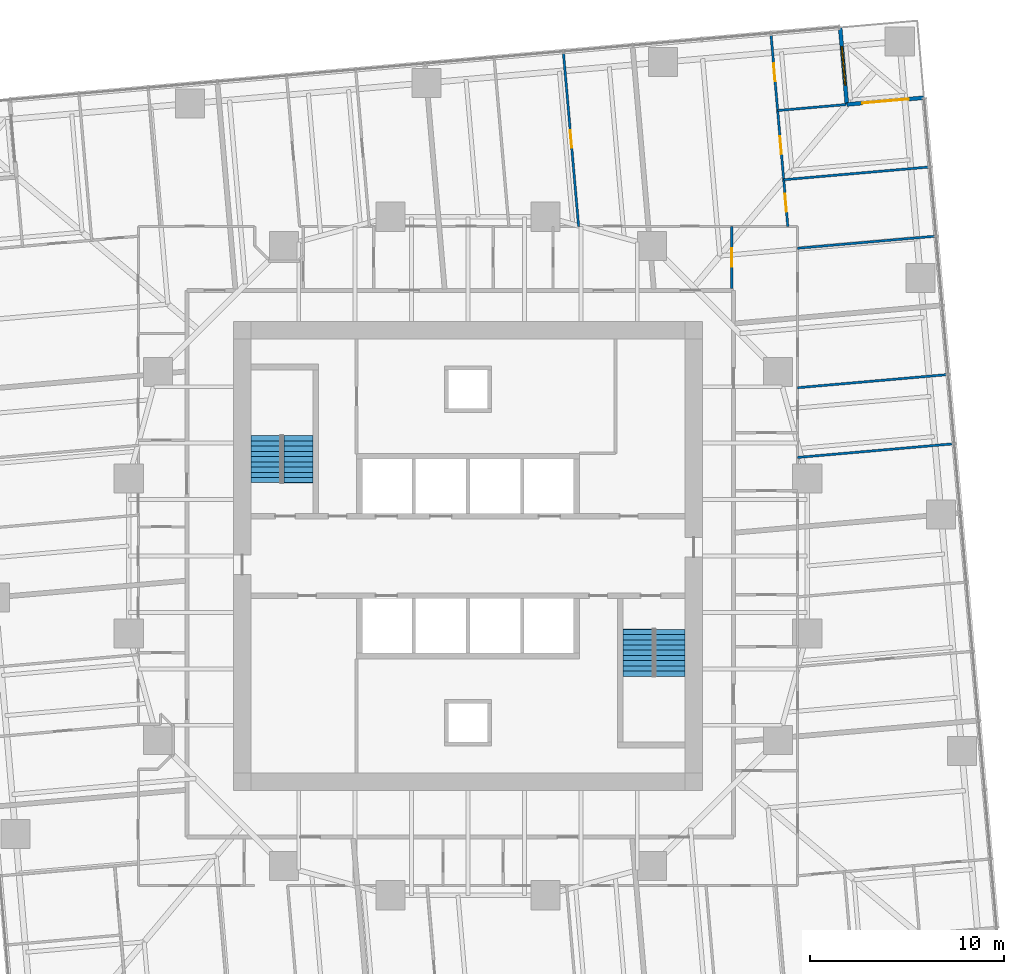
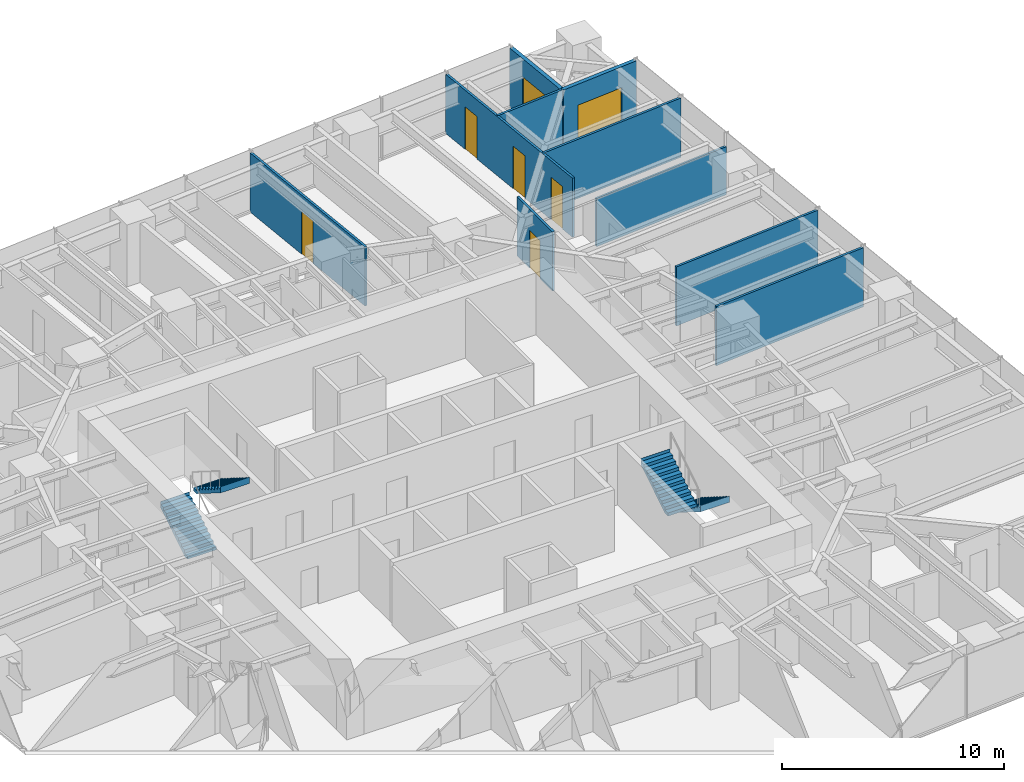
# One storey, part 13 of 14: 10 walls, 6 doors, 4 stair flights, 1 window, 7 openings, 2 elements without a shape of their own.
"""IFC4 building model written with IfcOpenShell, lengths in metres."""

from ifc_helpers import new_model, si_unit, direction, frame, frame_2d, origin, place, context, subcontext, project, spatial, polyline, rectangle, outline, extrude, material, layer, layer_set, type_object, element, fill, aggregate, save


model = new_model("IFC4")

# Units and contexts
model_context = context("Model", 3, precision=1e-05, world=origin(), true_north=direction((0.0, 1.0)))
body_context = subcontext(model_context, "Body", "Model", "MODEL_VIEW")
ifc_project = project(units=[si_unit("LENGTHUNIT", "METRE"), si_unit("AREAUNIT", "SQUARE_METRE"), si_unit("VOLUMEUNIT", "CUBIC_METRE"), si_unit("PLANEANGLEUNIT", "RADIAN"), si_unit("MASSUNIT", "GRAM", prefix="KILO")], contexts=[model_context])

# Site, building, storey
site_placement = place(None, origin())
site = spatial("IfcSite", under=ifc_project, at=site_placement, CompositionType="ELEMENT")
building_placement = place(site_placement, origin())
building = spatial("IfcBuilding", under=site, at=building_placement, Name="Torsade Residences", CompositionType="ELEMENT")
storey_placement = place(building_placement, frame((0.0, 0.0, 47.199951171875)))
storey = spatial("IfcBuildingStorey", under=building, at=storey_placement, Name="L12", CompositionType="ELEMENT", Elevation=47.199951171875)

# Walls
ifc_material_1 = material(Name="Plasterboard on steel stud", Category="steel")
ifc_layer_1 = layer(ifc_material_1, 0.1201171875)
ifc_layer_set_1 = layer_set([ifc_layer_1], Name="Plasterboard on steel stud")
wall_type_1 = type_object("IfcWallType", Name="PARTITION 120", PredefinedType="PARTITIONING", material=ifc_layer_set_1)
wall_1_placement = place(storey_placement, frame((57.0, 35.084228515625, 0.0), z_axis=(0.0, 0.0, 1.0), x_axis=(0.99619214338, 0.087184938313, 0.0)))
element("IfcWall", 1, at=wall_1_placement, inside=storey, type_object=wall_type_1, Name="Partition L12", PredefinedType="PARTITIONING", context=body_context, shape_type="SweptSolid", body=[
    extrude(rectangle(XDim=8.08154296875, YDim=0.1201171875, at=frame_2d((4.040771484375, 0.0))), origin(), (0.0, 0.0, 1.0), 3.25),
])
wall_2_placement = place(storey_placement, frame((57.0, 38.681396484375, 0.0), z_axis=(0.0, 0.0, 1.0), x_axis=(0.996195047824, 0.0871517452, 0.0)))
element("IfcWall", 2, at=wall_2_placement, inside=storey, type_object=wall_type_1, Name="Partition L12", PredefinedType="PARTITIONING", context=body_context, shape_type="SweptSolid", body=[
    extrude(rectangle(XDim=7.76806640625, YDim=0.1201171875, at=frame_2d((3.884033203125, 0.0))), origin(), (0.0, 0.0, 1.0), 3.25),
])

# Wall, opening, door
wall_3_placement = place(storey_placement, frame((53.60595703125, 47.0, 0.0), z_axis=(0.0, 0.0, 1.0), x_axis=(0.0, -1.0, 0.0)))
wall_3 = element("IfcWall", 3, at=wall_3_placement, inside=storey, type_object=wall_type_1, Name="Partition L12", PredefinedType="PARTITIONING", context=body_context, shape_type="SweptSolid", body=[
    extrude(rectangle(XDim=3.199951171875, YDim=0.1201171875, at=frame_2d((1.60009765625, 0.0))), origin(), (0.0, 0.0, 1.0), 3.25),
])
opening_1_placement = place(wall_3_placement, frame((1.1201171875, 0.0, 0.0)))
opening_1 = element("IfcOpeningElement", 4, at=opening_1_placement, cuts=wall_3, Name="Opening D05", PredefinedType="OPENING", context=body_context, shape_type="SweptSolid", body=[
    extrude(rectangle(XDim=0.9599609375, YDim=2.10009765625, at=frame_2d((0.47998046875, 1.050048828125))), frame((0.0, 0.070068359375, 0.0), z_axis=(0.0, -1.0, 0.0), x_axis=(1.0, 0.0, 0.0)), (0.0, 0.0, 1.0), 0.14013671875),
])
ifc_material_2 = material(Name="Hollow-core timber door in a steel cavity frame", Category="steel")
door_type_1 = type_object("IfcDoorType", Name="BATHROOM CAVITY SLIDING DOOR 960", OperationType="SLIDING_TO_LEFT", PredefinedType="DOOR", material=ifc_material_2)
door_1_placement = place(opening_1_placement, origin())
door_1 = element("IfcDoor", 5, at=door_1_placement, inside=storey, type_object=door_type_1, Name="Door Kitchen and dining to Bathroom", OperationType="SLIDING_TO_LEFT", OverallHeight=2.10009765625, OverallWidth=0.9599609375, PredefinedType="DOOR", context=body_context, shape_type="SweptSolid", body=[
    extrude(rectangle(XDim=0.9599609375, YDim=2.10009765625, at=frame_2d((0.47998046875, 1.050048828125))), frame((0.0, 0.02490234375, 0.0), z_axis=(0.0, -1.0, 0.0), x_axis=(1.0, 0.0, 0.0)), (0.0, 0.0, 1.0), 0.050048828125),
])
fill(opening_1, door_1)

# Wall, openings, doors
wall_4_placement = place(storey_placement, frame((55.62939453125, 56.924560546875, 0.0), z_axis=(0.0, 0.0, 1.0), x_axis=(0.087167862274, -0.996193637696, 0.0)))
wall_4 = element("IfcWall", 6, at=wall_4_placement, inside=storey, type_object=wall_type_1, Name="Partition L12", PredefinedType="PARTITIONING", context=body_context, shape_type="SweptSolid", body=[
    extrude(rectangle(XDim=9.96240234375, YDim=0.1201171875, at=frame_2d((4.981201171875, 0.0))), origin(), (0.0, 0.0, 1.0), 3.25),
])
opening_2_placement = place(wall_4_placement, frame((1.525146484375, 0.0, 0.0)))
opening_2 = element("IfcOpeningElement", 7, at=opening_2_placement, cuts=wall_4, Name="Opening D02", PredefinedType="OPENING", context=body_context, shape_type="SweptSolid", body=[
    extrude(rectangle(XDim=0.919921875, YDim=2.340087890625, at=frame_2d((0.4599609375, 1.169921875))), frame((0.0, 0.070068359375, 0.0), z_axis=(0.0, -1.0, 0.0), x_axis=(1.0, 0.0, 0.0)), (0.0, 0.0, 1.0), 0.14013671875),
])
opening_3_placement = place(wall_4_placement, frame((5.291748046875, 0.0, 0.0)))
opening_3 = element("IfcOpeningElement", 8, at=opening_3_placement, cuts=wall_4, Name="Opening D02", PredefinedType="OPENING", context=body_context, shape_type="SweptSolid", body=[
    extrude(rectangle(XDim=0.919921875, YDim=2.340087890625, at=frame_2d((0.4599609375, 1.169921875))), frame((0.0, 0.070068359375, 0.0), z_axis=(0.0, -1.0, 0.0), x_axis=(1.0, 0.0, 0.0)), (0.0, 0.0, 1.0), 0.14013671875),
])
opening_4_placement = place(wall_4_placement, frame((8.267822265625, 0.0, 0.0)))
opening_4 = element("IfcOpeningElement", 9, at=opening_4_placement, cuts=wall_4, Name="Opening D02", PredefinedType="OPENING", context=body_context, shape_type="SweptSolid", body=[
    extrude(rectangle(XDim=0.919921875, YDim=2.340087890625, at=frame_2d((0.4599609375, 1.169921875))), frame((0.0, 0.070068359375, 0.0), z_axis=(0.0, -1.0, 0.0), x_axis=(1.0, 0.0, 0.0)), (0.0, 0.0, 1.0), 0.14013671875),
])
ifc_material_3 = material(Name="Hollow-core timber door", Category="wood")
door_type_2 = type_object("IfcDoorType", Name="INTERNAL DOOR 920x2340", OperationType="NOTDEFINED", PredefinedType="DOOR", material=ifc_material_3)
door_2_placement = place(opening_2_placement, origin())
door_2 = element("IfcDoor", 10, at=door_2_placement, inside=storey, type_object=door_type_2, Name="Door Living room to Family room", OperationType="SINGLE_SWING_RIGHT", OverallHeight=2.340087890625, OverallWidth=0.919921875, PredefinedType="DOOR", context=body_context, shape_type="SweptSolid", body=[
    extrude(rectangle(XDim=0.919921875, YDim=2.340087890625, at=frame_2d((0.4599609375, 1.169921875))), frame((0.0, 0.02490234375, 0.0), z_axis=(0.0, -1.0, 0.0), x_axis=(1.0, 0.0, 0.0)), (0.0, 0.0, 1.0), 0.050048828125),
])
fill(opening_2, door_2)
door_3_placement = place(opening_3_placement, origin())
door_3 = element("IfcDoor", 11, at=door_3_placement, inside=storey, type_object=door_type_2, Name="Door Living room to Bedroom 1", OperationType="SINGLE_SWING_RIGHT", OverallHeight=2.340087890625, OverallWidth=0.919921875, PredefinedType="DOOR", context=body_context, shape_type="SweptSolid", body=[
    extrude(rectangle(XDim=0.919921875, YDim=2.340087890625, at=frame_2d((0.4599609375, 1.169921875))), frame((0.0, 0.02490234375, 0.0), z_axis=(0.0, -1.0, 0.0), x_axis=(1.0, 0.0, 0.0)), (0.0, 0.0, 1.0), 0.050048828125),
])
fill(opening_3, door_3)
door_4_placement = place(opening_4_placement, origin())
door_4 = element("IfcDoor", 12, at=door_4_placement, inside=storey, type_object=door_type_2, Name="Door Living room to Bedroom 2", OperationType="SINGLE_SWING_LEFT", OverallHeight=2.340087890625, OverallWidth=0.919921875, PredefinedType="DOOR", context=body_context, shape_type="SweptSolid", body=[
    extrude(rectangle(XDim=0.919921875, YDim=2.340087890625, at=frame_2d((0.4599609375, 1.169921875))), frame((0.0, 0.02490234375, 0.0), z_axis=(0.0, -1.0, 0.0), x_axis=(1.0, 0.0, 0.0)), (0.0, 0.0, 1.0), 0.050048828125),
])
fill(opening_4, door_4)

# Walls
wall_5_placement = place(storey_placement, frame((63.801513671875, 50.0673828125, 0.0), z_axis=(0.0, 0.0, 1.0), x_axis=(-0.99619417419, -0.087161730761, 0.0)))
element("IfcWall", 13, at=wall_5_placement, inside=storey, type_object=wall_type_1, Name="Partition L12", PredefinedType="PARTITIONING", context=body_context, shape_type="SweptSolid", body=[
    extrude(rectangle(XDim=7.543212890625, YDim=0.1201171875, at=frame_2d((3.771484375, 0.0))), origin(), (0.0, 0.0, 1.0), 3.25),
])
wall_6_placement = place(storey_placement, frame((55.974609375, 52.979736328125, 0.0), z_axis=(0.0, 0.0, 1.0), x_axis=(0.996194166221, 0.087161821847, 0.0)))
element("IfcWall", 14, at=wall_6_placement, inside=storey, type_object=wall_type_1, Name="Partition L12", PredefinedType="PARTITIONING", context=body_context, shape_type="SweptSolid", body=[
    extrude(rectangle(XDim=3.543212890625, YDim=0.1201171875, at=frame_2d((1.771484375, 0.0))), origin(), (0.0, 0.0, 1.0), 3.25),
])
wall_7_placement = place(storey_placement, frame((64.11376953125, 46.497802734375, 0.0), z_axis=(0.0, 0.0, 1.0), x_axis=(-0.996195424363, -0.087147441029, 0.0)))
element("IfcWall", 15, at=wall_7_placement, inside=storey, type_object=wall_type_1, Name="Partition L12", PredefinedType="PARTITIONING", context=body_context, shape_type="SweptSolid", body=[
    extrude(rectangle(XDim=7.140869140625, YDim=0.1201171875, at=frame_2d((3.5703125, 0.0))), origin(), (0.0, 0.0, 1.0), 2.637939453125),
])

# Wall, opening, door
wall_8_placement = place(storey_placement, frame((45.706787109375, 47.0, 0.0), z_axis=(0.0, 0.0, 1.0), x_axis=(-0.087160907995, 0.996194246178, 0.0)))
wall_8 = element("IfcWall", 16, at=wall_8_placement, inside=storey, type_object=wall_type_1, Name="Partition L12", PredefinedType="PARTITIONING", context=body_context, shape_type="SweptSolid", body=[
    extrude(rectangle(XDim=9.022216796875, YDim=0.1201171875, at=frame_2d((4.51123046875, 0.0))), origin(), (0.0, 0.0, 1.0), 3.25),
])
opening_5_placement = place(wall_8_placement, frame((4.071044921875, 0.0, 0.0)))
opening_5 = element("IfcOpeningElement", 17, at=opening_5_placement, cuts=wall_8, Name="Opening D02", PredefinedType="OPENING", context=body_context, shape_type="SweptSolid", body=[
    extrude(rectangle(XDim=0.919921875, YDim=2.340087890625, at=frame_2d((0.4599609375, 1.169921875))), frame((0.0, 0.070068359375, 0.0), z_axis=(0.0, -1.0, 0.0), x_axis=(1.0, 0.0, 0.0)), (0.0, 0.0, 1.0), 0.14013671875),
])
door_5_placement = place(opening_5_placement, origin())
door_5 = element("IfcDoor", 18, at=door_5_placement, inside=storey, type_object=door_type_2, Name="Door Living room to Bedroom 1", OperationType="SINGLE_SWING_RIGHT", OverallHeight=2.340087890625, OverallWidth=0.919921875, PredefinedType="DOOR", context=body_context, shape_type="SweptSolid", body=[
    extrude(rectangle(XDim=0.919921875, YDim=2.340087890625, at=frame_2d((0.4599609375, 1.169921875))), frame((0.0, 0.02490234375, 0.0), z_axis=(0.0, -1.0, 0.0), x_axis=(1.0, 0.0, 0.0)), (0.0, 0.0, 1.0), 0.050048828125),
])
fill(opening_5, door_5)

ifc_material_4 = material(Name="Stone-faced precast concrete 40 MPa panel", Category="masonry")
ifc_layer_2 = layer(ifc_material_4, 0.199951171875)
ifc_layer_set_2 = layer_set([ifc_layer_2], Name="Stone-faced precast concrete 40 MPa panel")
wall_type_2 = type_object("IfcWallType", Name="TERRACE WALL 200", PredefinedType="SOLIDWALL", material=ifc_layer_set_2)
wall_9_placement = place(storey_placement, frame((63.529052734375, 53.640625, 0.0), z_axis=(0.0, 0.0, 1.0), x_axis=(-0.99619418125, -0.087161650072, 0.0)))
wall_9 = element("IfcWall", 19, at=wall_9_placement, inside=storey, type_object=wall_type_2, Name="Terrace wall L12 5", PredefinedType="SOLIDWALL", context=body_context, shape_type="SweptSolid", body=[
    extrude(rectangle(XDim=3.999755859375, YDim=0.199951171875, at=frame_2d((2.0, 0.0))), origin(), (0.0, 0.0, 1.0), 3.25),
])
opening_6_placement = place(wall_9_placement, frame((0.800048828125, 0.0, 0.0)))
opening_6 = element("IfcOpeningElement", 20, at=opening_6_placement, cuts=wall_9, Name="Opening D10A", PredefinedType="OPENING", context=body_context, shape_type="SweptSolid", body=[
    extrude(rectangle(XDim=2.39990234375, YDim=2.10009765625, at=frame_2d((1.199951171875, 1.050048828125))), frame((0.0, 0.10986328125, 0.0), z_axis=(0.0, -1.0, 0.0), x_axis=(1.0, 0.0, 0.0)), (0.0, 0.0, 1.0), 0.219970703125),
])
ifc_material_5 = material(Name="Aluminium-framed glass door", Category="aluminium")
door_type_3 = type_object("IfcDoorType", Name="TERRACE SLIDING DOOR 2400x2100", OperationType="SLIDING_TO_LEFT", PredefinedType="DOOR", material=ifc_material_5)
door_6_placement = place(opening_6_placement, origin())
door_6 = element("IfcDoor", 21, at=door_6_placement, inside=storey, type_object=door_type_3, Name="Terrace door L12 5", OperationType="SLIDING_TO_LEFT", OverallHeight=2.10009765625, OverallWidth=2.39990234375, PredefinedType="DOOR", context=body_context, shape_type="SweptSolid", body=[
    extrude(rectangle(XDim=2.39990234375, YDim=2.10009765625, at=frame_2d((1.199951171875, 1.050048828125))), frame((0.0, 0.02490234375, 0.0), z_axis=(0.0, -1.0, 0.0), x_axis=(1.0, 0.0, 0.0)), (0.0, 0.0, 1.0), 0.050048828125),
])
fill(opening_6, door_6)

# Wall, opening, window
wall_10_placement = place(storey_placement, frame((59.54443359375, 53.2919921875, 0.0), z_axis=(0.0, 0.0, 1.0), x_axis=(-0.087156350505, 0.99619464492, 0.0)))
wall_10 = element("IfcWall", 22, at=wall_10_placement, inside=storey, type_object=wall_type_2, Name="Terrace wall L12 6", PredefinedType="SOLIDWALL", context=body_context, shape_type="SweptSolid", body=[
    extrude(rectangle(XDim=4.0, YDim=0.199951171875, at=frame_2d((2.0, 0.0))), origin(), (0.0, 0.0, 1.0), 3.25),
])
opening_7_placement = place(wall_10_placement, frame((1.0, 0.0, 0.449951171875)))
opening_7 = element("IfcOpeningElement", 23, at=opening_7_placement, cuts=wall_10, Name="Opening W1B", PredefinedType="OPENING", context=body_context, shape_type="SweptSolid", body=[
    extrude(rectangle(XDim=2.0, YDim=1.800048828125, at=frame_2d((1.0, 0.89990234375))), frame((0.0, 0.10986328125, 0.0), z_axis=(0.0, -1.0, 0.0), x_axis=(1.0, 0.0, 0.0)), (0.0, 0.0, 1.0), 0.219970703125),
])
ifc_material_6 = material(Name="Aluminium-framed glass window", Category="aluminium")
window_type = type_object("IfcWindowType", Name="TERRACE WINDOW 2000x1800", PartitioningType="SINGLE_PANEL", PredefinedType="WINDOW", material=ifc_material_6)
window_placement = place(opening_7_placement, origin())
window = element("IfcWindow", 24, at=window_placement, inside=storey, type_object=window_type, Name="Terrace window L12 6", OverallHeight=1.800048828125, OverallWidth=2.0, PartitioningType="SINGLE_PANEL", PredefinedType="WINDOW", context=body_context, shape_type="SweptSolid", body=[
    extrude(rectangle(XDim=2.0, YDim=1.800048828125, at=frame_2d((1.0, 0.89990234375))), frame((0.0, 0.030029296875, 0.0), z_axis=(0.0, -1.0, 0.0), x_axis=(1.0, 0.0, 0.0)), (0.0, 0.0, 1.0), 0.06005859375),
])
fill(opening_7, window)

# Stair, stair flights
ifc_material_7 = material(Name="Precast concrete 40 MPa", Category="concrete")
stair_type = type_object("IfcStairType", Name="HALF-TURN FIRE STAIR 1500x3400", PredefinedType="HALF_TURN_STAIR", material=ifc_material_7)
stair_1_placement = place(storey_placement, origin())
stair_1 = element("IfcStair", 25, at=stair_1_placement, inside=storey, type_object=stair_type, Name="Stair ST1 L12", PredefinedType="HALF_TURN_STAIR")
ifc_material_8 = material(Name="Precast concrete 40 MPa", Category="concrete")
stair_flight_type = type_object("IfcStairFlightType", Name="PRECAST STAIR FLIGHT 1500x1700", PredefinedType="STRAIGHT", material=ifc_material_8)
stair_flight_1_placement = place(storey_placement, frame((29.550048828125, 33.780029296875, 0.0), z_axis=(0.0, 0.0, 1.0), x_axis=(0.0, 1.0, 0.0)))
stair_flight_1 = element("IfcStairFlight", 26, at=stair_flight_1_placement, type_object=stair_flight_type, Name="ST1 flight 1", NumberOfRisers=10, NumberOfTreads=9, PredefinedType="STRAIGHT", RiserHeight=0.17, TreadLength=0.27, context=body_context, shape_type="SweptSolid", body=[
    extrude(outline(polyline([(0.0, 0.0), (0.0, 0.169921875), (0.27001953125, 0.169921875), (0.27001953125, 0.340087890625), (0.5400390625, 0.340087890625), (0.5400390625, 0.510009765625), (0.81005859375, 0.510009765625), (0.81005859375, 0.679931640625), (1.080078125, 0.679931640625), (1.080078125, 0.85009765625), (1.35009765625, 0.85009765625), (1.35009765625, 1.02001953125), (1.6201171875, 1.02001953125), (1.6201171875, 1.18994140625), (1.889892578125, 1.18994140625), (1.889892578125, 1.360107421875), (2.159912109375, 1.360107421875), (2.159912109375, 1.530029296875), (2.429931640625, 1.530029296875), (2.429931640625, 1.699951171875), (2.43994140625, 1.699951171875), (2.43994140625, 1.352783203125), (2.429931640625, 1.352783203125), (0.28125, 0.0), (0.0, 0.0)])), frame((0.0, 0.75, 0.0), z_axis=(0.0, -1.0, 0.0), x_axis=(1.0, 0.0, 0.0)), (0.0, 0.0, 1.0), 1.5),
])
stair_flight_2_placement = place(storey_placement, frame((31.25, 36.2099609375, 1.699951171875), z_axis=(0.0, 0.0, 1.0), x_axis=(0.0, -1.0, 0.0)))
stair_flight_2 = element("IfcStairFlight", 27, at=stair_flight_2_placement, type_object=stair_flight_type, Name="ST1 flight 2", NumberOfRisers=10, NumberOfTreads=9, PredefinedType="STRAIGHT", RiserHeight=0.17, TreadLength=0.27, context=body_context, shape_type="SweptSolid", body=[
    extrude(outline(polyline([(0.0, 0.0), (0.0, 0.169921875), (0.27001953125, 0.169921875), (0.27001953125, 0.340087890625), (0.5400390625, 0.340087890625), (0.5400390625, 0.510009765625), (0.81005859375, 0.510009765625), (0.81005859375, 0.679931640625), (1.080078125, 0.679931640625), (1.080078125, 0.85009765625), (1.35009765625, 0.85009765625), (1.35009765625, 1.02001953125), (1.6201171875, 1.02001953125), (1.6201171875, 1.18994140625), (1.889892578125, 1.18994140625), (1.889892578125, 1.360107421875), (2.159912109375, 1.360107421875), (2.159912109375, 1.530029296875), (2.429931640625, 1.530029296875), (2.429931640625, 1.699951171875), (2.43994140625, 1.699951171875), (2.43994140625, 1.352783203125), (2.429931640625, 1.352783203125), (0.28125, 0.0), (0.0, 0.0)])), frame((0.0, 0.75, 0.0), z_axis=(0.0, -1.0, 0.0), x_axis=(1.0, 0.0, 0.0)), (0.0, 0.0, 1.0), 1.5),
])
aggregate(stair_1, [stair_flight_1, stair_flight_2])

stair_2_placement = place(storey_placement, origin())
stair_2 = element("IfcStair", 28, at=stair_2_placement, inside=storey, type_object=stair_type, Name="Stair ST2 L12", PredefinedType="HALF_TURN_STAIR")
stair_flight_3_placement = place(storey_placement, frame((50.449951171875, 26.219970703125, 0.0), z_axis=(0.0, 0.0, 1.0), x_axis=(0.0, -1.0, 0.0)))
stair_flight_3 = element("IfcStairFlight", 29, at=stair_flight_3_placement, type_object=stair_flight_type, Name="ST2 flight 1", NumberOfRisers=10, NumberOfTreads=9, PredefinedType="STRAIGHT", RiserHeight=0.17, TreadLength=0.27, context=body_context, shape_type="SweptSolid", body=[
    extrude(outline(polyline([(0.0, 0.0), (0.0, 0.169921875), (0.27001953125, 0.169921875), (0.27001953125, 0.340087890625), (0.5400390625, 0.340087890625), (0.5400390625, 0.510009765625), (0.81005859375, 0.510009765625), (0.81005859375, 0.679931640625), (1.080078125, 0.679931640625), (1.080078125, 0.85009765625), (1.35009765625, 0.85009765625), (1.35009765625, 1.02001953125), (1.6201171875, 1.02001953125), (1.6201171875, 1.18994140625), (1.889892578125, 1.18994140625), (1.889892578125, 1.360107421875), (2.159912109375, 1.360107421875), (2.159912109375, 1.530029296875), (2.429931640625, 1.530029296875), (2.429931640625, 1.699951171875), (2.43994140625, 1.699951171875), (2.43994140625, 1.352783203125), (2.429931640625, 1.352783203125), (0.28125, 0.0), (0.0, 0.0)])), frame((0.0, 0.75, 0.0), z_axis=(0.0, -1.0, 0.0), x_axis=(1.0, 0.0, 0.0)), (0.0, 0.0, 1.0), 1.5),
])
stair_flight_4_placement = place(storey_placement, frame((48.75, 23.7900390625, 1.699951171875), z_axis=(0.0, 0.0, 1.0), x_axis=(0.0, 1.0, 0.0)))
stair_flight_4 = element("IfcStairFlight", 30, at=stair_flight_4_placement, type_object=stair_flight_type, Name="ST2 flight 2", NumberOfRisers=10, NumberOfTreads=9, PredefinedType="STRAIGHT", RiserHeight=0.17, TreadLength=0.27, context=body_context, shape_type="SweptSolid", body=[
    extrude(outline(polyline([(0.0, 0.0), (0.0, 0.169921875), (0.27001953125, 0.169921875), (0.27001953125, 0.340087890625), (0.5400390625, 0.340087890625), (0.5400390625, 0.510009765625), (0.81005859375, 0.510009765625), (0.81005859375, 0.679931640625), (1.080078125, 0.679931640625), (1.080078125, 0.85009765625), (1.35009765625, 0.85009765625), (1.35009765625, 1.02001953125), (1.6201171875, 1.02001953125), (1.6201171875, 1.18994140625), (1.889892578125, 1.18994140625), (1.889892578125, 1.360107421875), (2.159912109375, 1.360107421875), (2.159912109375, 1.530029296875), (2.429931640625, 1.530029296875), (2.429931640625, 1.699951171875), (2.43994140625, 1.699951171875), (2.43994140625, 1.352783203125), (2.429931640625, 1.352783203125), (0.28125, 0.0), (0.0, 0.0)])), frame((0.0, 0.75, 0.0), z_axis=(0.0, -1.0, 0.0), x_axis=(1.0, 0.0, 0.0)), (0.0, 0.0, 1.0), 1.5),
])
aggregate(stair_2, [stair_flight_3, stair_flight_4])

save(model, "model.ifc")
